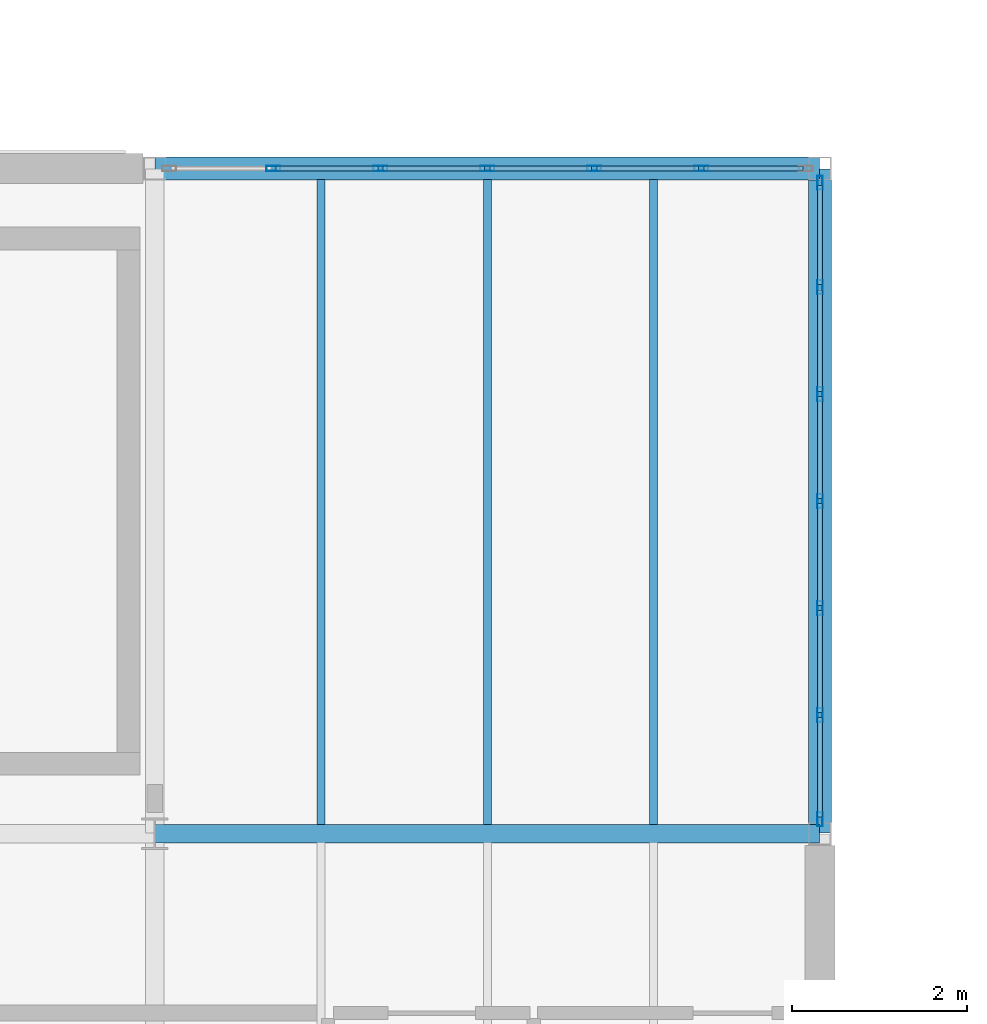
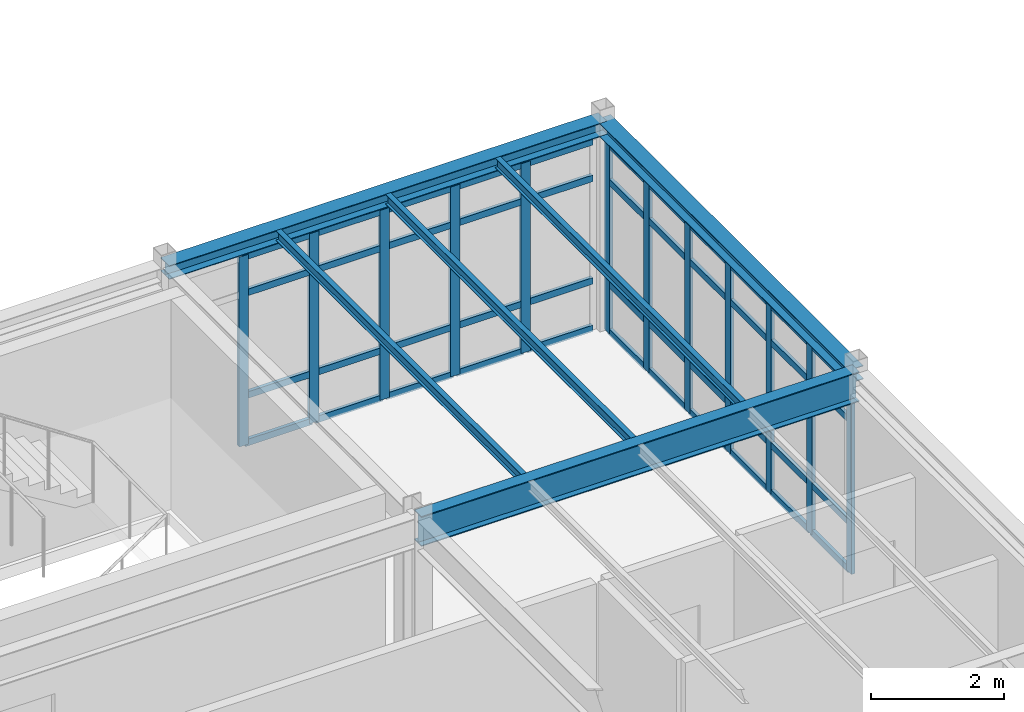
# One storey, part 81 of 189: 56 members, 6 beams, 2 elements without a shape of their own.
"""IFC4 building model written with IfcOpenShell, lengths in metres."""

from ifc_helpers import new_model, si_unit, direction, frame, origin, origin_2d, place, context, subcontext, project, spatial, hollow_rectangle, i_section, extrude, material, layer, layer_set, material_profile, profile_set, type_object, element, aggregate, save


model = new_model("IFC4")

# Units and contexts
model_context = context("Model", 3, precision=1e-05, world=origin(), true_north=direction((0.0, 1.0)))
body_context = subcontext(model_context, "Body", "Model", "MODEL_VIEW")
ifc_project = project(units=[si_unit("LENGTHUNIT", "METRE"), si_unit("AREAUNIT", "SQUARE_METRE"), si_unit("VOLUMEUNIT", "CUBIC_METRE"), si_unit("PLANEANGLEUNIT", "RADIAN"), si_unit("MASSUNIT", "GRAM", prefix="KILO")], contexts=[model_context])

# Site, building, storey
site_placement = place(None, origin())
site = spatial("IfcSite", under=ifc_project, at=site_placement, CompositionType="ELEMENT")
building_placement = place(site_placement, origin())
building = spatial("IfcBuilding", under=site, at=building_placement, Name="Montecoro Central Library", CompositionType="ELEMENT")
storey_placement = place(building_placement, frame((0.0, 0.0, 9.179931640625)))
storey = spatial("IfcBuildingStorey", under=building, at=storey_placement, Name="L02", CompositionType="ELEMENT", Elevation=9.179931640625)

# Beams
ifc_material_1 = material(Name="Steel S355J2", Category="steel")
ifc_material_profile_1 = material_profile(ifc_material_1, i_section(OverallWidth=0.2099609375, OverallDepth=0.550048828125, WebThickness=0.010986328125, FlangeThickness=0.01708984375, at=origin_2d()), Name="IPE 550")
ifc_profile_set_1 = profile_set([ifc_material_profile_1], Name="Steel S355J2")
beam_type_1 = type_object("IfcBeamType", Name="BM-G-IPE550", PredefinedType="USERDEFINED", material=ifc_profile_set_1)
beam_placement = place(storey_placement, frame((35.405029296875, 103.800048828125, 3.550048828125), z_axis=(1.0, 0.0, 0.0), x_axis=(0.0, 1.0, 0.0)))
element("IfcBeam", 1, at=beam_placement, inside=storey, type_object=beam_type_1, Name="V4-L02-BX-56-P", ObjectType="GIRDER", PredefinedType="USERDEFINED", context=body_context, shape_type="SweptSolid", body=[
    extrude(i_section(OverallWidth=0.2099609375, OverallDepth=0.550048828125, WebThickness=0.010986328125, FlangeThickness=0.01708984375, at=origin_2d()), origin(), (0.0, 0.0, 1.0), 7.590087890625),
])
ifc_material_2 = material(Name="Steel S355", Category="steel")
ifc_material_profile_2 = material_profile(ifc_material_2, i_section(OverallWidth=0.091064453125, OverallDepth=0.179931640625, WebThickness=0.00537109375, FlangeThickness=0.008056640625, at=origin_2d()), Name="IPE 180")
ifc_profile_set_2 = profile_set([ifc_material_profile_2], Name="Steel S355")
beam_type_2 = type_object("IfcBeamType", Name="BM-J-IPE180", PredefinedType="JOIST", material=ifc_profile_set_2)
for number, where, z_axis, x_axis, name in (
    (2, (37.300048828125, 103.902099609375, 3.735107421875), (0.0, 1.0, 0.0), (-1.0, 0.0, 0.0), "V4-L02-JS-56-PQ-1"),
    (3, (39.199951171875, 103.902099609375, 3.735107421875), (0.0, 1.0, 0.0), (-1.0, 0.0, 0.0), "V4-L02-JS-56-PQ-2"),
    (4, (41.10009765625, 103.902099609375, 3.735107421875), (0.0, 1.0, 0.0), (-1.0, 0.0, 0.0), "V4-L02-JS-56-PQ-3"),
):
    element("IfcBeam", number, at=place(storey_placement, frame(where, z_axis=z_axis, x_axis=x_axis)), inside=storey, type_object=beam_type_2, Name=name, PredefinedType="JOIST", context=body_context, shape_type="SweptSolid", body=[
        extrude(i_section(OverallWidth=0.091064453125, OverallDepth=0.179931640625, WebThickness=0.00537109375, FlangeThickness=0.008056640625, at=origin_2d()), origin(), (0.0, 0.0, 1.0), 7.370849609375),
    ])
ifc_material_profile_3 = material_profile(ifc_material_2, i_section(OverallWidth=0.260009765625, OverallDepth=0.25, WebThickness=0.007568359375, FlangeThickness=0.012451171875, at=origin_2d()), Name="HEA 260")
ifc_profile_set_3 = profile_set([ifc_material_profile_3], Name="Steel S355")
beam_type_3 = type_object("IfcBeamType", Name="BM-SP-HEA260", PredefinedType="SPANDREL", material=ifc_profile_set_3)
for number, where, z_axis, x_axis, name in (
    (5, (35.405029296875, 111.39990234375, 3.699951171875), (1.0, 0.0, 0.0), (0.0, 1.0, 0.0), "V4-L02-BX-56-Q"),
    (6, (43.0, 103.804931640625, 3.699951171875), (0.0, 1.0, 0.0), (-1.0, 0.0, 0.0), "V4-L02-BY-6-PQ"),
):
    element("IfcBeam", number, at=place(storey_placement, frame(where, z_axis=z_axis, x_axis=x_axis)), inside=storey, type_object=beam_type_3, Name=name, PredefinedType="SPANDREL", context=body_context, shape_type="SweptSolid", body=[
        extrude(i_section(OverallWidth=0.260009765625, OverallDepth=0.25, WebThickness=0.007568359375, FlangeThickness=0.012451171875, at=origin_2d()), origin(), (0.0, 0.0, 1.0), 7.590087890625),
    ])

# Curtain wall, members
ifc_material_3 = material(Name="Bronze-anodised aluminium and low-E glazing", Category="aluminium")
ifc_layer_1 = layer(ifc_material_3, 0.159912109375)
ifc_layer_set_1 = layer_set([ifc_layer_1], Name="Bronze-anodised aluminium and low-E glazing")
curtain_wall_type_1 = type_object("IfcCurtainWallType", Name="CWT-047", PredefinedType="NOTDEFINED", material=ifc_layer_set_1)
curtain_wall_1_placement = place(storey_placement, origin())
curtain_wall_1 = element("IfcCurtainWall", 7, at=curtain_wall_1_placement, inside=storey, type_object=curtain_wall_type_1, Name="V4-L02-CW-E4", PredefinedType="NOTDEFINED")
ifc_material_4 = material(Name="Bronze-anodised aluminium", Category="aluminium")
ifc_material_profile_4 = material_profile(ifc_material_4, hollow_rectangle(XDim=0.06005859375, YDim=0.159912109375, WallThickness=0.00390625, at=origin_2d()), Name="CWM 160x60x4.0")
ifc_profile_set_4 = profile_set([ifc_material_profile_4], Name="Bronze-anodised aluminium")
member_type_1 = type_object("IfcMemberType", Name="CWM-BRZ-60", PredefinedType="MULLION", material=ifc_profile_set_4)
member_1_placement = place(storey_placement, frame((43.0, 103.962890625, 0.0), z_axis=(0.0, 0.0, 1.0), x_axis=(-1.0, 0.0, 0.0)))
member_1 = element("IfcMember", 8, at=member_1_placement, type_object=member_type_1, Name="CW-047 mullion 1", PredefinedType="MULLION", context=body_context, shape_type="SweptSolid", body=[
    extrude(hollow_rectangle(XDim=0.06005859375, YDim=0.159912109375, WallThickness=0.00390625, at=origin_2d()), origin(), (0.0, 0.0, 1.0), 3.47998046875),
])
member_2_placement = place(storey_placement, frame((43.0, 105.1552734375, 0.0), z_axis=(0.0, 0.0, 1.0), x_axis=(-1.0, 0.0, 0.0)))
member_2 = element("IfcMember", 9, at=member_2_placement, type_object=member_type_1, Name="CW-047 mullion 2", PredefinedType="MULLION", context=body_context, shape_type="SweptSolid", body=[
    extrude(hollow_rectangle(XDim=0.06005859375, YDim=0.159912109375, WallThickness=0.00390625, at=origin_2d()), origin(), (0.0, 0.0, 1.0), 3.47998046875),
])
member_3_placement = place(storey_placement, frame((43.0, 106.377685546875, 0.0), z_axis=(0.0, 0.0, 1.0), x_axis=(-1.0, 0.0, 0.0)))
member_3 = element("IfcMember", 10, at=member_3_placement, type_object=member_type_1, Name="CW-047 mullion 3", PredefinedType="MULLION", context=body_context, shape_type="SweptSolid", body=[
    extrude(hollow_rectangle(XDim=0.06005859375, YDim=0.159912109375, WallThickness=0.00390625, at=origin_2d()), origin(), (0.0, 0.0, 1.0), 3.47998046875),
])
member_4_placement = place(storey_placement, frame((43.0, 107.60009765625, 0.0), z_axis=(0.0, 0.0, 1.0), x_axis=(-1.0, 0.0, 0.0)))
member_4 = element("IfcMember", 11, at=member_4_placement, type_object=member_type_1, Name="CW-047 mullion 4", PredefinedType="MULLION", context=body_context, shape_type="SweptSolid", body=[
    extrude(hollow_rectangle(XDim=0.06005859375, YDim=0.159912109375, WallThickness=0.00390625, at=origin_2d()), origin(), (0.0, 0.0, 1.0), 3.47998046875),
])
member_5_placement = place(storey_placement, frame((43.0, 108.822265625, 0.0), z_axis=(0.0, 0.0, 1.0), x_axis=(-1.0, 0.0, 0.0)))
member_5 = element("IfcMember", 12, at=member_5_placement, type_object=member_type_1, Name="CW-047 mullion 5", PredefinedType="MULLION", context=body_context, shape_type="SweptSolid", body=[
    extrude(hollow_rectangle(XDim=0.06005859375, YDim=0.159912109375, WallThickness=0.00390625, at=origin_2d()), origin(), (0.0, 0.0, 1.0), 3.47998046875),
])
member_6_placement = place(storey_placement, frame((43.0, 110.044677734375, 0.0), z_axis=(0.0, 0.0, 1.0), x_axis=(-1.0, 0.0, 0.0)))
member_6 = element("IfcMember", 13, at=member_6_placement, type_object=member_type_1, Name="CW-047 mullion 6", PredefinedType="MULLION", context=body_context, shape_type="SweptSolid", body=[
    extrude(hollow_rectangle(XDim=0.06005859375, YDim=0.159912109375, WallThickness=0.00390625, at=origin_2d()), origin(), (0.0, 0.0, 1.0), 3.47998046875),
])
member_7_placement = place(storey_placement, frame((43.0, 111.237060546875, 0.0), z_axis=(0.0, 0.0, 1.0), x_axis=(-1.0, 0.0, 0.0)))
member_7 = element("IfcMember", 14, at=member_7_placement, type_object=member_type_1, Name="CW-047 mullion 7", PredefinedType="MULLION", context=body_context, shape_type="SweptSolid", body=[
    extrude(hollow_rectangle(XDim=0.06005859375, YDim=0.159912109375, WallThickness=0.00390625, at=origin_2d()), origin(), (0.0, 0.0, 1.0), 3.47998046875),
])

ifc_layer_2 = layer(ifc_material_3, 0.159912109375)
ifc_layer_set_2 = layer_set([ifc_layer_2], Name="Bronze-anodised aluminium and low-E glazing")
curtain_wall_type_2 = type_object("IfcCurtainWallType", Name="CWT-048", PredefinedType="NOTDEFINED", material=ifc_layer_set_2)
curtain_wall_2_placement = place(storey_placement, origin())
curtain_wall_2 = element("IfcCurtainWall", 15, at=curtain_wall_2_placement, inside=storey, type_object=curtain_wall_type_2, Name="V4-L02-CW-N4", PredefinedType="NOTDEFINED")
member_8_placement = place(storey_placement, frame((41.644775390625, 111.39990234375, 0.0), z_axis=(0.0, 0.0, 1.0), x_axis=(0.0, -1.0, 0.0)))
member_8 = element("IfcMember", 16, at=member_8_placement, type_object=member_type_1, Name="CW-048 mullion 2", PredefinedType="MULLION", context=body_context, shape_type="SweptSolid", body=[
    extrude(hollow_rectangle(XDim=0.06005859375, YDim=0.159912109375, WallThickness=0.00390625, at=origin_2d()), origin(), (0.0, 0.0, 1.0), 3.47998046875),
])
member_9_placement = place(storey_placement, frame((40.42236328125, 111.39990234375, 0.0), z_axis=(0.0, 0.0, 1.0), x_axis=(0.0, -1.0, 0.0)))
member_9 = element("IfcMember", 17, at=member_9_placement, type_object=member_type_1, Name="CW-048 mullion 3", PredefinedType="MULLION", context=body_context, shape_type="SweptSolid", body=[
    extrude(hollow_rectangle(XDim=0.06005859375, YDim=0.159912109375, WallThickness=0.00390625, at=origin_2d()), origin(), (0.0, 0.0, 1.0), 3.47998046875),
])
member_10_placement = place(storey_placement, frame((39.199951171875, 111.39990234375, 0.0), z_axis=(0.0, 0.0, 1.0), x_axis=(0.0, -1.0, 0.0)))
member_10 = element("IfcMember", 18, at=member_10_placement, type_object=member_type_1, Name="CW-048 mullion 4", PredefinedType="MULLION", context=body_context, shape_type="SweptSolid", body=[
    extrude(hollow_rectangle(XDim=0.06005859375, YDim=0.159912109375, WallThickness=0.00390625, at=origin_2d()), origin(), (0.0, 0.0, 1.0), 3.47998046875),
])
member_11_placement = place(storey_placement, frame((37.977783203125, 111.39990234375, 0.0), z_axis=(0.0, 0.0, 1.0), x_axis=(0.0, -1.0, 0.0)))
member_11 = element("IfcMember", 19, at=member_11_placement, type_object=member_type_1, Name="CW-048 mullion 5", PredefinedType="MULLION", context=body_context, shape_type="SweptSolid", body=[
    extrude(hollow_rectangle(XDim=0.06005859375, YDim=0.159912109375, WallThickness=0.00390625, at=origin_2d()), origin(), (0.0, 0.0, 1.0), 3.47998046875),
])
member_12_placement = place(storey_placement, frame((36.75537109375, 111.39990234375, 0.0), z_axis=(0.0, 0.0, 1.0), x_axis=(0.0, -1.0, 0.0)))
member_12 = element("IfcMember", 20, at=member_12_placement, type_object=member_type_1, Name="CW-048 mullion 6", PredefinedType="MULLION", context=body_context, shape_type="SweptSolid", body=[
    extrude(hollow_rectangle(XDim=0.06005859375, YDim=0.159912109375, WallThickness=0.00390625, at=origin_2d()), origin(), (0.0, 0.0, 1.0), 3.47998046875),
])

# Member
ifc_material_profile_5 = material_profile(ifc_material_4, hollow_rectangle(XDim=0.06005859375, YDim=0.1201171875, WallThickness=0.00390625, at=origin_2d()), Name="CWT 120x60x4.0")
ifc_profile_set_5 = profile_set([ifc_material_profile_5], Name="Bronze-anodised aluminium")
member_type_2 = type_object("IfcMemberType", Name="CWT-BRZ-60", PredefinedType="USERDEFINED", material=ifc_profile_set_5)
member_13_placement = place(storey_placement, frame((43.0, 103.992919921875, 0.030029296875), z_axis=(0.0, 1.0, 0.0), x_axis=(-1.0, 0.0, 0.0)))
member_13 = element("IfcMember", 21, at=member_13_placement, type_object=member_type_2, Name="CW-047 transom 1.1", ObjectType="TRANSOM", PredefinedType="USERDEFINED", context=body_context, shape_type="SweptSolid", body=[
    extrude(hollow_rectangle(XDim=0.06005859375, YDim=0.1201171875, WallThickness=0.00390625, at=origin_2d()), origin(), (0.0, 0.0, 1.0), 1.13232421875),
])

member_14_placement = place(storey_placement, frame((43.0, 103.992919921875, 0.900146484375), z_axis=(0.0, 1.0, 0.0), x_axis=(-1.0, 0.0, 0.0)))
member_14 = element("IfcMember", 22, at=member_14_placement, type_object=member_type_2, Name="CW-047 transom 1.2", ObjectType="TRANSOM", PredefinedType="USERDEFINED", context=body_context, shape_type="SweptSolid", body=[
    extrude(hollow_rectangle(XDim=0.06005859375, YDim=0.1201171875, WallThickness=0.00390625, at=origin_2d()), origin(), (0.0, 0.0, 1.0), 1.13232421875),
])

member_15_placement = place(storey_placement, frame((43.0, 103.992919921875, 2.780029296875), z_axis=(0.0, 1.0, 0.0), x_axis=(-1.0, 0.0, 0.0)))
member_15 = element("IfcMember", 23, at=member_15_placement, type_object=member_type_2, Name="CW-047 transom 1.3", ObjectType="TRANSOM", PredefinedType="USERDEFINED", context=body_context, shape_type="SweptSolid", body=[
    extrude(hollow_rectangle(XDim=0.06005859375, YDim=0.1201171875, WallThickness=0.00390625, at=origin_2d()), origin(), (0.0, 0.0, 1.0), 1.13232421875),
])

member_16_placement = place(storey_placement, frame((43.0, 103.992919921875, 3.449951171875), z_axis=(0.0, 1.0, 0.0), x_axis=(-1.0, 0.0, 0.0)))
member_16 = element("IfcMember", 24, at=member_16_placement, type_object=member_type_2, Name="CW-047 transom 1.4", ObjectType="TRANSOM", PredefinedType="USERDEFINED", context=body_context, shape_type="SweptSolid", body=[
    extrude(hollow_rectangle(XDim=0.06005859375, YDim=0.1201171875, WallThickness=0.00390625, at=origin_2d()), origin(), (0.0, 0.0, 1.0), 1.13232421875),
])

member_17_placement = place(storey_placement, frame((43.0, 105.185302734375, 0.030029296875), z_axis=(0.0, 1.0, 0.0), x_axis=(-1.0, 0.0, 0.0)))
member_17 = element("IfcMember", 25, at=member_17_placement, type_object=member_type_2, Name="CW-047 transom 2.1", ObjectType="TRANSOM", PredefinedType="USERDEFINED", context=body_context, shape_type="SweptSolid", body=[
    extrude(hollow_rectangle(XDim=0.06005859375, YDim=0.1201171875, WallThickness=0.00390625, at=origin_2d()), origin(), (0.0, 0.0, 1.0), 1.162353515625),
])

member_18_placement = place(storey_placement, frame((43.0, 105.185302734375, 0.900146484375), z_axis=(0.0, 1.0, 0.0), x_axis=(-1.0, 0.0, 0.0)))
member_18 = element("IfcMember", 26, at=member_18_placement, type_object=member_type_2, Name="CW-047 transom 2.2", ObjectType="TRANSOM", PredefinedType="USERDEFINED", context=body_context, shape_type="SweptSolid", body=[
    extrude(hollow_rectangle(XDim=0.06005859375, YDim=0.1201171875, WallThickness=0.00390625, at=origin_2d()), origin(), (0.0, 0.0, 1.0), 1.162353515625),
])

member_19_placement = place(storey_placement, frame((43.0, 105.185302734375, 2.780029296875), z_axis=(0.0, 1.0, 0.0), x_axis=(-1.0, 0.0, 0.0)))
member_19 = element("IfcMember", 27, at=member_19_placement, type_object=member_type_2, Name="CW-047 transom 2.3", ObjectType="TRANSOM", PredefinedType="USERDEFINED", context=body_context, shape_type="SweptSolid", body=[
    extrude(hollow_rectangle(XDim=0.06005859375, YDim=0.1201171875, WallThickness=0.00390625, at=origin_2d()), origin(), (0.0, 0.0, 1.0), 1.162353515625),
])

member_20_placement = place(storey_placement, frame((43.0, 105.185302734375, 3.449951171875), z_axis=(0.0, 1.0, 0.0), x_axis=(-1.0, 0.0, 0.0)))
member_20 = element("IfcMember", 28, at=member_20_placement, type_object=member_type_2, Name="CW-047 transom 2.4", ObjectType="TRANSOM", PredefinedType="USERDEFINED", context=body_context, shape_type="SweptSolid", body=[
    extrude(hollow_rectangle(XDim=0.06005859375, YDim=0.1201171875, WallThickness=0.00390625, at=origin_2d()), origin(), (0.0, 0.0, 1.0), 1.162353515625),
])

member_21_placement = place(storey_placement, frame((43.0, 106.40771484375, 0.030029296875), z_axis=(0.0, 1.0, 0.0), x_axis=(-1.0, 0.0, 0.0)))
member_21 = element("IfcMember", 29, at=member_21_placement, type_object=member_type_2, Name="CW-047 transom 3.1", ObjectType="TRANSOM", PredefinedType="USERDEFINED", context=body_context, shape_type="SweptSolid", body=[
    extrude(hollow_rectangle(XDim=0.06005859375, YDim=0.1201171875, WallThickness=0.00390625, at=origin_2d()), origin(), (0.0, 0.0, 1.0), 1.162353515625),
])

member_22_placement = place(storey_placement, frame((43.0, 106.40771484375, 0.900146484375), z_axis=(0.0, 1.0, 0.0), x_axis=(-1.0, 0.0, 0.0)))
member_22 = element("IfcMember", 30, at=member_22_placement, type_object=member_type_2, Name="CW-047 transom 3.2", ObjectType="TRANSOM", PredefinedType="USERDEFINED", context=body_context, shape_type="SweptSolid", body=[
    extrude(hollow_rectangle(XDim=0.06005859375, YDim=0.1201171875, WallThickness=0.00390625, at=origin_2d()), origin(), (0.0, 0.0, 1.0), 1.162353515625),
])

member_23_placement = place(storey_placement, frame((43.0, 106.40771484375, 2.780029296875), z_axis=(0.0, 1.0, 0.0), x_axis=(-1.0, 0.0, 0.0)))
member_23 = element("IfcMember", 31, at=member_23_placement, type_object=member_type_2, Name="CW-047 transom 3.3", ObjectType="TRANSOM", PredefinedType="USERDEFINED", context=body_context, shape_type="SweptSolid", body=[
    extrude(hollow_rectangle(XDim=0.06005859375, YDim=0.1201171875, WallThickness=0.00390625, at=origin_2d()), origin(), (0.0, 0.0, 1.0), 1.162353515625),
])

member_24_placement = place(storey_placement, frame((43.0, 106.40771484375, 3.449951171875), z_axis=(0.0, 1.0, 0.0), x_axis=(-1.0, 0.0, 0.0)))
member_24 = element("IfcMember", 32, at=member_24_placement, type_object=member_type_2, Name="CW-047 transom 3.4", ObjectType="TRANSOM", PredefinedType="USERDEFINED", context=body_context, shape_type="SweptSolid", body=[
    extrude(hollow_rectangle(XDim=0.06005859375, YDim=0.1201171875, WallThickness=0.00390625, at=origin_2d()), origin(), (0.0, 0.0, 1.0), 1.162353515625),
])

member_25_placement = place(storey_placement, frame((43.0, 107.6298828125, 0.030029296875), z_axis=(0.0, 1.0, 0.0), x_axis=(-1.0, 0.0, 0.0)))
member_25 = element("IfcMember", 33, at=member_25_placement, type_object=member_type_2, Name="CW-047 transom 4.1", ObjectType="TRANSOM", PredefinedType="USERDEFINED", context=body_context, shape_type="SweptSolid", body=[
    extrude(hollow_rectangle(XDim=0.06005859375, YDim=0.1201171875, WallThickness=0.00390625, at=origin_2d()), origin(), (0.0, 0.0, 1.0), 1.162353515625),
])

member_26_placement = place(storey_placement, frame((43.0, 107.6298828125, 0.900146484375), z_axis=(0.0, 1.0, 0.0), x_axis=(-1.0, 0.0, 0.0)))
member_26 = element("IfcMember", 34, at=member_26_placement, type_object=member_type_2, Name="CW-047 transom 4.2", ObjectType="TRANSOM", PredefinedType="USERDEFINED", context=body_context, shape_type="SweptSolid", body=[
    extrude(hollow_rectangle(XDim=0.06005859375, YDim=0.1201171875, WallThickness=0.00390625, at=origin_2d()), origin(), (0.0, 0.0, 1.0), 1.162353515625),
])

member_27_placement = place(storey_placement, frame((43.0, 107.6298828125, 2.780029296875), z_axis=(0.0, 1.0, 0.0), x_axis=(-1.0, 0.0, 0.0)))
member_27 = element("IfcMember", 35, at=member_27_placement, type_object=member_type_2, Name="CW-047 transom 4.3", ObjectType="TRANSOM", PredefinedType="USERDEFINED", context=body_context, shape_type="SweptSolid", body=[
    extrude(hollow_rectangle(XDim=0.06005859375, YDim=0.1201171875, WallThickness=0.00390625, at=origin_2d()), origin(), (0.0, 0.0, 1.0), 1.162353515625),
])

member_28_placement = place(storey_placement, frame((43.0, 107.6298828125, 3.449951171875), z_axis=(0.0, 1.0, 0.0), x_axis=(-1.0, 0.0, 0.0)))
member_28 = element("IfcMember", 36, at=member_28_placement, type_object=member_type_2, Name="CW-047 transom 4.4", ObjectType="TRANSOM", PredefinedType="USERDEFINED", context=body_context, shape_type="SweptSolid", body=[
    extrude(hollow_rectangle(XDim=0.06005859375, YDim=0.1201171875, WallThickness=0.00390625, at=origin_2d()), origin(), (0.0, 0.0, 1.0), 1.162353515625),
])

member_29_placement = place(storey_placement, frame((43.0, 108.852294921875, 0.030029296875), z_axis=(0.0, 1.0, 0.0), x_axis=(-1.0, 0.0, 0.0)))
member_29 = element("IfcMember", 37, at=member_29_placement, type_object=member_type_2, Name="CW-047 transom 5.1", ObjectType="TRANSOM", PredefinedType="USERDEFINED", context=body_context, shape_type="SweptSolid", body=[
    extrude(hollow_rectangle(XDim=0.06005859375, YDim=0.1201171875, WallThickness=0.00390625, at=origin_2d()), origin(), (0.0, 0.0, 1.0), 1.162353515625),
])

member_30_placement = place(storey_placement, frame((43.0, 108.852294921875, 0.900146484375), z_axis=(0.0, 1.0, 0.0), x_axis=(-1.0, 0.0, 0.0)))
member_30 = element("IfcMember", 38, at=member_30_placement, type_object=member_type_2, Name="CW-047 transom 5.2", ObjectType="TRANSOM", PredefinedType="USERDEFINED", context=body_context, shape_type="SweptSolid", body=[
    extrude(hollow_rectangle(XDim=0.06005859375, YDim=0.1201171875, WallThickness=0.00390625, at=origin_2d()), origin(), (0.0, 0.0, 1.0), 1.162353515625),
])

member_31_placement = place(storey_placement, frame((43.0, 108.852294921875, 2.780029296875), z_axis=(0.0, 1.0, 0.0), x_axis=(-1.0, 0.0, 0.0)))
member_31 = element("IfcMember", 39, at=member_31_placement, type_object=member_type_2, Name="CW-047 transom 5.3", ObjectType="TRANSOM", PredefinedType="USERDEFINED", context=body_context, shape_type="SweptSolid", body=[
    extrude(hollow_rectangle(XDim=0.06005859375, YDim=0.1201171875, WallThickness=0.00390625, at=origin_2d()), origin(), (0.0, 0.0, 1.0), 1.162353515625),
])

member_32_placement = place(storey_placement, frame((43.0, 108.852294921875, 3.449951171875), z_axis=(0.0, 1.0, 0.0), x_axis=(-1.0, 0.0, 0.0)))
member_32 = element("IfcMember", 40, at=member_32_placement, type_object=member_type_2, Name="CW-047 transom 5.4", ObjectType="TRANSOM", PredefinedType="USERDEFINED", context=body_context, shape_type="SweptSolid", body=[
    extrude(hollow_rectangle(XDim=0.06005859375, YDim=0.1201171875, WallThickness=0.00390625, at=origin_2d()), origin(), (0.0, 0.0, 1.0), 1.162353515625),
])

member_33_placement = place(storey_placement, frame((43.0, 110.07470703125, 0.030029296875), z_axis=(0.0, 1.0, 0.0), x_axis=(-1.0, 0.0, 0.0)))
member_33 = element("IfcMember", 41, at=member_33_placement, type_object=member_type_2, Name="CW-047 transom 6.1", ObjectType="TRANSOM", PredefinedType="USERDEFINED", context=body_context, shape_type="SweptSolid", body=[
    extrude(hollow_rectangle(XDim=0.06005859375, YDim=0.1201171875, WallThickness=0.00390625, at=origin_2d()), origin(), (0.0, 0.0, 1.0), 1.13232421875),
])

member_34_placement = place(storey_placement, frame((43.0, 110.07470703125, 0.900146484375), z_axis=(0.0, 1.0, 0.0), x_axis=(-1.0, 0.0, 0.0)))
member_34 = element("IfcMember", 42, at=member_34_placement, type_object=member_type_2, Name="CW-047 transom 6.2", ObjectType="TRANSOM", PredefinedType="USERDEFINED", context=body_context, shape_type="SweptSolid", body=[
    extrude(hollow_rectangle(XDim=0.06005859375, YDim=0.1201171875, WallThickness=0.00390625, at=origin_2d()), origin(), (0.0, 0.0, 1.0), 1.13232421875),
])

member_35_placement = place(storey_placement, frame((43.0, 110.07470703125, 2.780029296875), z_axis=(0.0, 1.0, 0.0), x_axis=(-1.0, 0.0, 0.0)))
member_35 = element("IfcMember", 43, at=member_35_placement, type_object=member_type_2, Name="CW-047 transom 6.3", ObjectType="TRANSOM", PredefinedType="USERDEFINED", context=body_context, shape_type="SweptSolid", body=[
    extrude(hollow_rectangle(XDim=0.06005859375, YDim=0.1201171875, WallThickness=0.00390625, at=origin_2d()), origin(), (0.0, 0.0, 1.0), 1.13232421875),
])

member_36_placement = place(storey_placement, frame((43.0, 110.07470703125, 3.449951171875), z_axis=(0.0, 1.0, 0.0), x_axis=(-1.0, 0.0, 0.0)))
member_36 = element("IfcMember", 44, at=member_36_placement, type_object=member_type_2, Name="CW-047 transom 6.4", ObjectType="TRANSOM", PredefinedType="USERDEFINED", context=body_context, shape_type="SweptSolid", body=[
    extrude(hollow_rectangle(XDim=0.06005859375, YDim=0.1201171875, WallThickness=0.00390625, at=origin_2d()), origin(), (0.0, 0.0, 1.0), 1.13232421875),
])

aggregate(curtain_wall_1, [member_1, member_2, member_3, member_4, member_5, member_6, member_7, member_13, member_14, member_15, member_16, member_17, member_18, member_19, member_20, member_21, member_22, member_23, member_24, member_25, member_26, member_27, member_28, member_29, member_30, member_31, member_32, member_33, member_34, member_35, member_36])

member_37_placement = place(storey_placement, frame((42.806884765625, 111.39990234375, 0.030029296875), z_axis=(-1.0, 0.0, 0.0), x_axis=(0.0, -1.0, 0.0)))
member_37 = element("IfcMember", 45, at=member_37_placement, type_object=member_type_2, Name="CW-048 transom 1.1", ObjectType="TRANSOM", PredefinedType="USERDEFINED", context=body_context, shape_type="SweptSolid", body=[
    extrude(hollow_rectangle(XDim=0.06005859375, YDim=0.1201171875, WallThickness=0.00390625, at=origin_2d()), origin(), (0.0, 0.0, 1.0), 1.13232421875),
])

member_38_placement = place(storey_placement, frame((42.806884765625, 111.39990234375, 0.900146484375), z_axis=(-1.0, 0.0, 0.0), x_axis=(0.0, -1.0, 0.0)))
member_38 = element("IfcMember", 46, at=member_38_placement, type_object=member_type_2, Name="CW-048 transom 1.2", ObjectType="TRANSOM", PredefinedType="USERDEFINED", context=body_context, shape_type="SweptSolid", body=[
    extrude(hollow_rectangle(XDim=0.06005859375, YDim=0.1201171875, WallThickness=0.00390625, at=origin_2d()), origin(), (0.0, 0.0, 1.0), 1.13232421875),
])

member_39_placement = place(storey_placement, frame((42.806884765625, 111.39990234375, 2.780029296875), z_axis=(-1.0, 0.0, 0.0), x_axis=(0.0, -1.0, 0.0)))
member_39 = element("IfcMember", 47, at=member_39_placement, type_object=member_type_2, Name="CW-048 transom 1.3", ObjectType="TRANSOM", PredefinedType="USERDEFINED", context=body_context, shape_type="SweptSolid", body=[
    extrude(hollow_rectangle(XDim=0.06005859375, YDim=0.1201171875, WallThickness=0.00390625, at=origin_2d()), origin(), (0.0, 0.0, 1.0), 1.13232421875),
])

member_40_placement = place(storey_placement, frame((42.806884765625, 111.39990234375, 3.449951171875), z_axis=(-1.0, 0.0, 0.0), x_axis=(0.0, -1.0, 0.0)))
member_40 = element("IfcMember", 48, at=member_40_placement, type_object=member_type_2, Name="CW-048 transom 1.4", ObjectType="TRANSOM", PredefinedType="USERDEFINED", context=body_context, shape_type="SweptSolid", body=[
    extrude(hollow_rectangle(XDim=0.06005859375, YDim=0.1201171875, WallThickness=0.00390625, at=origin_2d()), origin(), (0.0, 0.0, 1.0), 1.13232421875),
])

member_41_placement = place(storey_placement, frame((41.61474609375, 111.39990234375, 0.030029296875), z_axis=(-1.0, 0.0, 0.0), x_axis=(0.0, -1.0, 0.0)))
member_41 = element("IfcMember", 49, at=member_41_placement, type_object=member_type_2, Name="CW-048 transom 2.1", ObjectType="TRANSOM", PredefinedType="USERDEFINED", context=body_context, shape_type="SweptSolid", body=[
    extrude(hollow_rectangle(XDim=0.06005859375, YDim=0.1201171875, WallThickness=0.00390625, at=origin_2d()), origin(), (0.0, 0.0, 1.0), 1.162353515625),
])

member_42_placement = place(storey_placement, frame((41.61474609375, 111.39990234375, 0.900146484375), z_axis=(-1.0, 0.0, 0.0), x_axis=(0.0, -1.0, 0.0)))
member_42 = element("IfcMember", 50, at=member_42_placement, type_object=member_type_2, Name="CW-048 transom 2.2", ObjectType="TRANSOM", PredefinedType="USERDEFINED", context=body_context, shape_type="SweptSolid", body=[
    extrude(hollow_rectangle(XDim=0.06005859375, YDim=0.1201171875, WallThickness=0.00390625, at=origin_2d()), origin(), (0.0, 0.0, 1.0), 1.162353515625),
])

member_43_placement = place(storey_placement, frame((41.61474609375, 111.39990234375, 2.780029296875), z_axis=(-1.0, 0.0, 0.0), x_axis=(0.0, -1.0, 0.0)))
member_43 = element("IfcMember", 51, at=member_43_placement, type_object=member_type_2, Name="CW-048 transom 2.3", ObjectType="TRANSOM", PredefinedType="USERDEFINED", context=body_context, shape_type="SweptSolid", body=[
    extrude(hollow_rectangle(XDim=0.06005859375, YDim=0.1201171875, WallThickness=0.00390625, at=origin_2d()), origin(), (0.0, 0.0, 1.0), 1.162353515625),
])

member_44_placement = place(storey_placement, frame((41.61474609375, 111.39990234375, 3.449951171875), z_axis=(-1.0, 0.0, 0.0), x_axis=(0.0, -1.0, 0.0)))
member_44 = element("IfcMember", 52, at=member_44_placement, type_object=member_type_2, Name="CW-048 transom 2.4", ObjectType="TRANSOM", PredefinedType="USERDEFINED", context=body_context, shape_type="SweptSolid", body=[
    extrude(hollow_rectangle(XDim=0.06005859375, YDim=0.1201171875, WallThickness=0.00390625, at=origin_2d()), origin(), (0.0, 0.0, 1.0), 1.162353515625),
])

member_45_placement = place(storey_placement, frame((40.392333984375, 111.39990234375, 0.030029296875), z_axis=(-1.0, 0.0, 0.0), x_axis=(0.0, -1.0, 0.0)))
member_45 = element("IfcMember", 53, at=member_45_placement, type_object=member_type_2, Name="CW-048 transom 3.1", ObjectType="TRANSOM", PredefinedType="USERDEFINED", context=body_context, shape_type="SweptSolid", body=[
    extrude(hollow_rectangle(XDim=0.06005859375, YDim=0.1201171875, WallThickness=0.00390625, at=origin_2d()), origin(), (0.0, 0.0, 1.0), 1.162353515625),
])

member_46_placement = place(storey_placement, frame((40.392333984375, 111.39990234375, 0.900146484375), z_axis=(-1.0, 0.0, 0.0), x_axis=(0.0, -1.0, 0.0)))
member_46 = element("IfcMember", 54, at=member_46_placement, type_object=member_type_2, Name="CW-048 transom 3.2", ObjectType="TRANSOM", PredefinedType="USERDEFINED", context=body_context, shape_type="SweptSolid", body=[
    extrude(hollow_rectangle(XDim=0.06005859375, YDim=0.1201171875, WallThickness=0.00390625, at=origin_2d()), origin(), (0.0, 0.0, 1.0), 1.162353515625),
])

member_47_placement = place(storey_placement, frame((40.392333984375, 111.39990234375, 2.780029296875), z_axis=(-1.0, 0.0, 0.0), x_axis=(0.0, -1.0, 0.0)))
member_47 = element("IfcMember", 55, at=member_47_placement, type_object=member_type_2, Name="CW-048 transom 3.3", ObjectType="TRANSOM", PredefinedType="USERDEFINED", context=body_context, shape_type="SweptSolid", body=[
    extrude(hollow_rectangle(XDim=0.06005859375, YDim=0.1201171875, WallThickness=0.00390625, at=origin_2d()), origin(), (0.0, 0.0, 1.0), 1.162353515625),
])

member_48_placement = place(storey_placement, frame((40.392333984375, 111.39990234375, 3.449951171875), z_axis=(-1.0, 0.0, 0.0), x_axis=(0.0, -1.0, 0.0)))
member_48 = element("IfcMember", 56, at=member_48_placement, type_object=member_type_2, Name="CW-048 transom 3.4", ObjectType="TRANSOM", PredefinedType="USERDEFINED", context=body_context, shape_type="SweptSolid", body=[
    extrude(hollow_rectangle(XDim=0.06005859375, YDim=0.1201171875, WallThickness=0.00390625, at=origin_2d()), origin(), (0.0, 0.0, 1.0), 1.162353515625),
])

member_49_placement = place(storey_placement, frame((39.169921875, 111.39990234375, 0.030029296875), z_axis=(-1.0, 0.0, 0.0), x_axis=(0.0, -1.0, 0.0)))
member_49 = element("IfcMember", 57, at=member_49_placement, type_object=member_type_2, Name="CW-048 transom 4.1", ObjectType="TRANSOM", PredefinedType="USERDEFINED", context=body_context, shape_type="SweptSolid", body=[
    extrude(hollow_rectangle(XDim=0.06005859375, YDim=0.1201171875, WallThickness=0.00390625, at=origin_2d()), origin(), (0.0, 0.0, 1.0), 1.162353515625),
])

member_50_placement = place(storey_placement, frame((39.169921875, 111.39990234375, 0.900146484375), z_axis=(-1.0, 0.0, 0.0), x_axis=(0.0, -1.0, 0.0)))
member_50 = element("IfcMember", 58, at=member_50_placement, type_object=member_type_2, Name="CW-048 transom 4.2", ObjectType="TRANSOM", PredefinedType="USERDEFINED", context=body_context, shape_type="SweptSolid", body=[
    extrude(hollow_rectangle(XDim=0.06005859375, YDim=0.1201171875, WallThickness=0.00390625, at=origin_2d()), origin(), (0.0, 0.0, 1.0), 1.162353515625),
])

member_51_placement = place(storey_placement, frame((39.169921875, 111.39990234375, 2.780029296875), z_axis=(-1.0, 0.0, 0.0), x_axis=(0.0, -1.0, 0.0)))
member_51 = element("IfcMember", 59, at=member_51_placement, type_object=member_type_2, Name="CW-048 transom 4.3", ObjectType="TRANSOM", PredefinedType="USERDEFINED", context=body_context, shape_type="SweptSolid", body=[
    extrude(hollow_rectangle(XDim=0.06005859375, YDim=0.1201171875, WallThickness=0.00390625, at=origin_2d()), origin(), (0.0, 0.0, 1.0), 1.162353515625),
])

member_52_placement = place(storey_placement, frame((39.169921875, 111.39990234375, 3.449951171875), z_axis=(-1.0, 0.0, 0.0), x_axis=(0.0, -1.0, 0.0)))
member_52 = element("IfcMember", 60, at=member_52_placement, type_object=member_type_2, Name="CW-048 transom 4.4", ObjectType="TRANSOM", PredefinedType="USERDEFINED", context=body_context, shape_type="SweptSolid", body=[
    extrude(hollow_rectangle(XDim=0.06005859375, YDim=0.1201171875, WallThickness=0.00390625, at=origin_2d()), origin(), (0.0, 0.0, 1.0), 1.162353515625),
])

member_53_placement = place(storey_placement, frame((37.94775390625, 111.39990234375, 0.030029296875), z_axis=(-1.0, 0.0, 0.0), x_axis=(0.0, -1.0, 0.0)))
member_53 = element("IfcMember", 61, at=member_53_placement, type_object=member_type_2, Name="CW-048 transom 5.1", ObjectType="TRANSOM", PredefinedType="USERDEFINED", context=body_context, shape_type="SweptSolid", body=[
    extrude(hollow_rectangle(XDim=0.06005859375, YDim=0.1201171875, WallThickness=0.00390625, at=origin_2d()), origin(), (0.0, 0.0, 1.0), 1.162353515625),
])

member_54_placement = place(storey_placement, frame((37.94775390625, 111.39990234375, 0.900146484375), z_axis=(-1.0, 0.0, 0.0), x_axis=(0.0, -1.0, 0.0)))
member_54 = element("IfcMember", 62, at=member_54_placement, type_object=member_type_2, Name="CW-048 transom 5.2", ObjectType="TRANSOM", PredefinedType="USERDEFINED", context=body_context, shape_type="SweptSolid", body=[
    extrude(hollow_rectangle(XDim=0.06005859375, YDim=0.1201171875, WallThickness=0.00390625, at=origin_2d()), origin(), (0.0, 0.0, 1.0), 1.162353515625),
])

member_55_placement = place(storey_placement, frame((37.94775390625, 111.39990234375, 2.780029296875), z_axis=(-1.0, 0.0, 0.0), x_axis=(0.0, -1.0, 0.0)))
member_55 = element("IfcMember", 63, at=member_55_placement, type_object=member_type_2, Name="CW-048 transom 5.3", ObjectType="TRANSOM", PredefinedType="USERDEFINED", context=body_context, shape_type="SweptSolid", body=[
    extrude(hollow_rectangle(XDim=0.06005859375, YDim=0.1201171875, WallThickness=0.00390625, at=origin_2d()), origin(), (0.0, 0.0, 1.0), 1.162353515625),
])

member_56_placement = place(storey_placement, frame((37.94775390625, 111.39990234375, 3.449951171875), z_axis=(-1.0, 0.0, 0.0), x_axis=(0.0, -1.0, 0.0)))
member_56 = element("IfcMember", 64, at=member_56_placement, type_object=member_type_2, Name="CW-048 transom 5.4", ObjectType="TRANSOM", PredefinedType="USERDEFINED", context=body_context, shape_type="SweptSolid", body=[
    extrude(hollow_rectangle(XDim=0.06005859375, YDim=0.1201171875, WallThickness=0.00390625, at=origin_2d()), origin(), (0.0, 0.0, 1.0), 1.162353515625),
])

aggregate(curtain_wall_2, [member_8, member_9, member_10, member_11, member_12, member_37, member_38, member_39, member_40, member_41, member_42, member_43, member_44, member_45, member_46, member_47, member_48, member_49, member_50, member_51, member_52, member_53, member_54, member_55, member_56])

save(model, "model.ifc")
